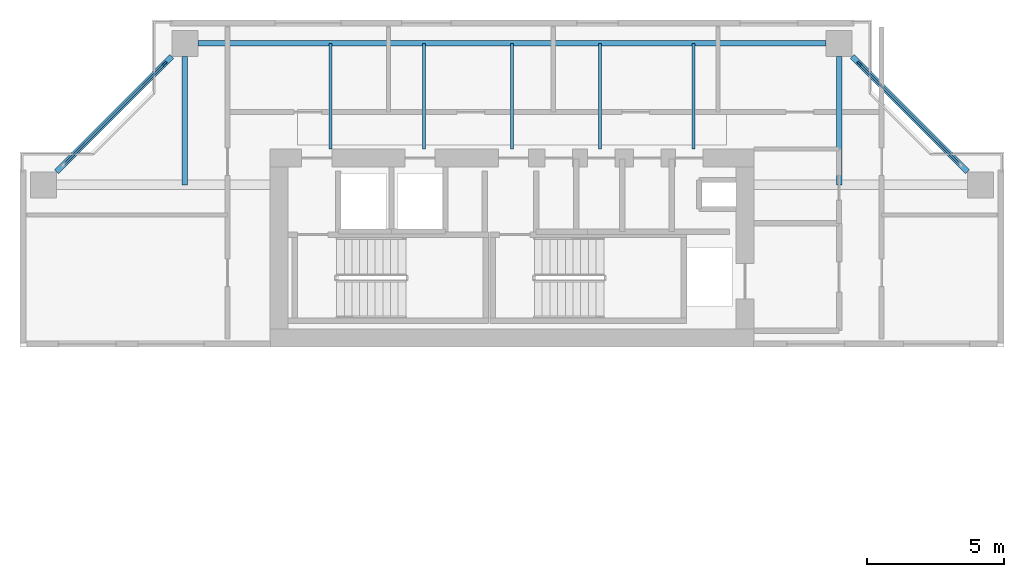
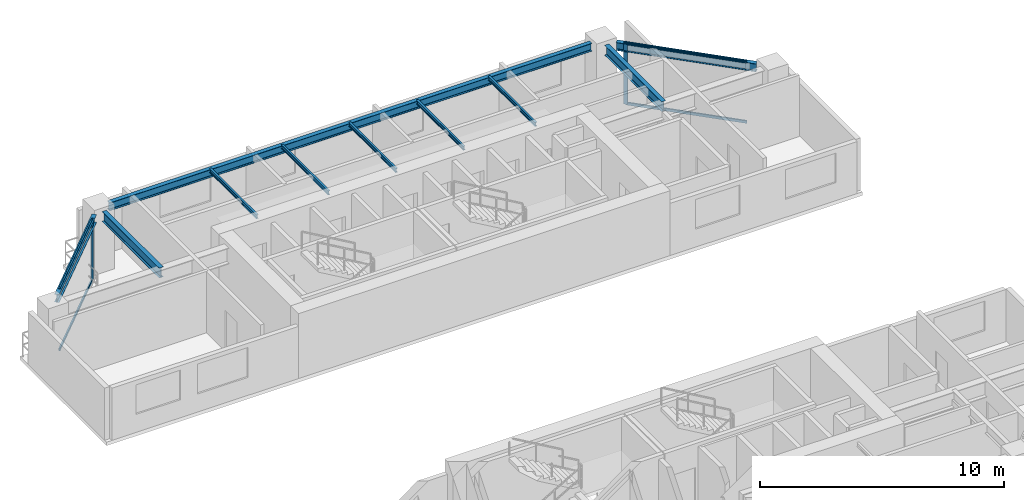
# One storey, part 5 of 12: 10 beams, 6 members, 2 elements without a shape of their own.
"""IFC4 building model written with IfcOpenShell, lengths in metres."""

from ifc_helpers import new_model, si_unit, direction, frame, origin, origin_2d, place, context, subcontext, project, spatial, rectangle, i_section, extrude, source, transform, mapped, material, layer, layer_set, material_profile, profile_set, type_object, element, aggregate, save


model = new_model("IFC4")

# Units and contexts
model_context = context("Model", 3, precision=1e-05, world=origin(), true_north=direction((0.0, 1.0)))
body_context = subcontext(model_context, "Body", "Model", "MODEL_VIEW")
ifc_project = project(units=[si_unit("LENGTHUNIT", "METRE"), si_unit("AREAUNIT", "SQUARE_METRE"), si_unit("VOLUMEUNIT", "CUBIC_METRE"), si_unit("PLANEANGLEUNIT", "RADIAN"), si_unit("MASSUNIT", "GRAM", prefix="KILO"), si_unit("THERMODYNAMICTEMPERATUREUNIT", "KELVIN"), si_unit("POWERUNIT", "WATT")], contexts=[model_context])

# Site, building, storey
site_placement = place(None, origin())
site = spatial("IfcSite", under=ifc_project, at=site_placement, CompositionType="ELEMENT")
building_placement = place(site_placement, origin())
building = spatial("IfcBuilding", under=site, at=building_placement, Name="Qiaomeng Ring Towers", CompositionType="ELEMENT")
storey_placement = place(building_placement, frame((0.0, 0.0, 163.25)))
storey = spatial("IfcBuildingStorey", under=building, at=storey_placement, Name="L47", CompositionType="ELEMENT", Elevation=163.25)

# Beams
ifc_material_1 = material(Name="Steel Q355B", Category="steel")
ifc_material_profile_1 = material_profile(ifc_material_1, i_section(OverallWidth=0.10009765625, OverallDepth=0.199951171875, WebThickness=0.005615234375, FlangeThickness=0.008056640625, FilletRadius=0.010986328125, at=origin_2d()), Name="HN 200x100x5.5x8")
ifc_profile_set_1 = profile_set([ifc_material_profile_1], Name="Steel Q355B")
beam_type_1 = type_object("IfcBeamType", Name="STR-BM-HN200", PredefinedType="JOIST", material=ifc_profile_set_1)
shared_shape_1 = source(origin(), body_context, "Body", "SweptSolid", [
    extrude(i_section(OverallWidth=0.10009765625, OverallDepth=0.199951171875, WebThickness=0.005615234375, FlangeThickness=0.008056640625, FilletRadius=0.010986328125, at=origin_2d()), origin(), (0.0, 0.0, 1.0), 3.85009765625),
])
for number, where, z_axis, x_axis, name in (
    (1, (12.39990234375, 36.199951171875, 2.969970703125), (0.0, 1.0, 0.0), (-1.0, 0.0, 0.0), "L47 beam STR-JST-L47-T1N-1"),
    (2, (15.800048828125, 36.199951171875, 2.969970703125), (0.0, 1.0, 0.0), (-1.0, 0.0, 0.0), "L47 beam STR-JST-L47-T1N-2"),
    (3, (19.0, 36.199951171875, 2.969970703125), (0.0, 1.0, 0.0), (-1.0, 0.0, 0.0), "L47 beam STR-JST-L47-T1N-3"),
    (4, (22.199951171875, 36.199951171875, 2.969970703125), (0.0, 1.0, 0.0), (-1.0, 0.0, 0.0), "L47 beam STR-JST-L47-T1N-4"),
    (5, (25.60009765625, 36.199951171875, 2.969970703125), (0.0, 1.0, 0.0), (-1.0, 0.0, 0.0), "L47 beam STR-JST-L47-T1N-5"),
):
    element("IfcBeam", number, at=place(storey_placement, frame(where, z_axis=z_axis, x_axis=x_axis)), inside=storey, type_object=beam_type_1, Name=name, PredefinedType="JOIST", context=body_context, shape_type="MappedRepresentation", body=[
        mapped(shared_shape_1, transform((0.0, 0.0, 0.0), x_axis=(1.0, 0.0, 0.0), y_axis=(0.0, 1.0, 0.0), z_axis=(0.0, 0.0, 1.0), scale=1.0)),
    ])
ifc_material_profile_2 = material_profile(ifc_material_1, i_section(OverallWidth=0.199951171875, OverallDepth=0.39990234375, WebThickness=0.008056640625, FlangeThickness=0.012939453125, FilletRadius=0.01611328125, at=origin_2d()), Name="HN 400x200x8x13")
ifc_profile_set_2 = profile_set([ifc_material_profile_2], Name="Steel Q355B")
beam_type_2 = type_object("IfcBeamType", Name="STR-BM-HN400", PredefinedType="SPANDREL", material=ifc_profile_set_2)
shared_shape_2 = source(origin(), body_context, "Body", "SweptSolid", [
    extrude(i_section(OverallWidth=0.199951171875, OverallDepth=0.39990234375, WebThickness=0.008056640625, FlangeThickness=0.012939453125, FilletRadius=0.01611328125, at=origin_2d()), origin(), (0.0, 0.0, 1.0), 22.85205078125),
])
beam_placement = place(storey_placement, frame((30.426025390625, 40.050048828125, 2.8701171875), z_axis=(-1.0, 0.0, 0.0), x_axis=(0.0, -1.0, 0.0)))
element("IfcBeam", 6, at=beam_placement, inside=storey, type_object=beam_type_2, Name="L47 beam STR-SP-L47-T1-N2-N1", PredefinedType="SPANDREL", context=body_context, shape_type="MappedRepresentation", body=[
    mapped(shared_shape_2, transform((0.0, 0.0, 0.0), x_axis=(1.0, 0.0, 0.0), y_axis=(0.0, 1.0, 0.0), z_axis=(0.0, 0.0, 1.0), scale=1.0)),
])
shared_shape_3 = source(origin(), body_context, "Body", "SweptSolid", [
    extrude(i_section(OverallWidth=0.199951171875, OverallDepth=0.39990234375, WebThickness=0.008056640625, FlangeThickness=0.012939453125, FilletRadius=0.01611328125, at=origin_2d()), origin(), (0.0, 0.0, 1.0), 5.941650390625),
])
for number, where, z_axis, x_axis, name in (
    (7, (35.57568359375, 35.374267578125, 2.8701171875), (-0.707106781187, 0.707106781187, 0.0), (-0.707106781187, -0.707106781187, 0.0), "L47 beam STR-SP-L47-T1-E4-N2"),
    (8, (6.625732421875, 39.57568359375, 2.8701171875), (-0.707106781187, -0.707106781187, 0.0), (0.707106781187, -0.707106781187, 0.0), "L47 beam STR-SP-L47-T1-N1-W4"),
):
    element("IfcBeam", number, at=place(storey_placement, frame(where, z_axis=z_axis, x_axis=x_axis)), inside=storey, type_object=beam_type_2, Name=name, PredefinedType="SPANDREL", context=body_context, shape_type="MappedRepresentation", body=[
        mapped(shared_shape_3, transform((0.0, 0.0, 0.0), x_axis=(1.0, 0.0, 0.0), y_axis=(0.0, 1.0, 0.0), z_axis=(0.0, 0.0, 1.0), scale=1.0)),
    ])
ifc_material_profile_3 = material_profile(ifc_material_1, i_section(OverallWidth=0.199951171875, OverallDepth=0.5, WebThickness=0.010009765625, FlangeThickness=0.01611328125, FilletRadius=0.02001953125, at=origin_2d()), Name="HN 500x200x10x16")
ifc_profile_set_3 = profile_set([ifc_material_profile_3], Name="Steel Q355B")
beam_type_3 = type_object("IfcBeamType", Name="STR-BM-HN500", PredefinedType="BEAM", material=ifc_profile_set_3)
shared_shape_4 = source(origin(), body_context, "Body", "SweptSolid", [
    extrude(i_section(OverallWidth=0.199951171875, OverallDepth=0.5, WebThickness=0.010009765625, FlangeThickness=0.01611328125, FilletRadius=0.02001953125, at=origin_2d()), origin(), (0.0, 0.0, 1.0), 4.676025390625),
])
for number, where, z_axis, x_axis, name in (
    (9, (7.10009765625, 39.575927734375, 2.820068359375), (0.0, -1.0, 0.0), (1.0, 0.0, 0.0), "L47 beam STR-BM-L47-T1-RAD-N1"),
    (10, (30.89990234375, 39.575927734375, 2.820068359375), (0.0, -1.0, 0.0), (1.0, 0.0, 0.0), "L47 beam STR-BM-L47-T1-RAD-N2"),
):
    element("IfcBeam", number, at=place(storey_placement, frame(where, z_axis=z_axis, x_axis=x_axis)), inside=storey, type_object=beam_type_3, Name=name, PredefinedType="BEAM", context=body_context, shape_type="MappedRepresentation", body=[
        mapped(shared_shape_4, transform((0.0, 0.0, 0.0), x_axis=(1.0, 0.0, 0.0), y_axis=(0.0, 1.0, 0.0), z_axis=(0.0, 0.0, 1.0), scale=1.0)),
    ])

# Curtain wall, member
ifc_material_2 = material(Name="Fluorocarbon dark-grey aluminium", Category="aluminium")
ifc_layer = layer(ifc_material_2, 0.14990234375, Name="Fluorocarbon dark-grey aluminium")
ifc_layer_set = layer_set([ifc_layer], Name="Fluorocarbon dark-grey aluminium")
curtain_wall_type = type_object("IfcCurtainWallType", Name="ARC-CW-3", PredefinedType="NOTDEFINED", material=ifc_layer_set)
curtain_wall_1_placement = place(storey_placement, origin())
curtain_wall_1 = element("IfcCurtainWall", 11, at=curtain_wall_1_placement, inside=storey, type_object=curtain_wall_type, Name="L47 Curtain Wall CW3", PredefinedType="NOTDEFINED")
ifc_material_profile_4 = material_profile(ifc_material_2, rectangle(XDim=0.070068359375, YDim=0.179931640625, at=origin_2d()), Name="ALU MULL 70x180")
ifc_profile_set_4 = profile_set([ifc_material_profile_4], Name="Fluorocarbon dark-grey aluminium")
member_type_1 = type_object("IfcMemberType", Name="ARC-CWM-160", PredefinedType="MULLION", material=ifc_profile_set_4)
shared_shape_5 = source(origin(), body_context, "Body", "SweptSolid", [
    extrude(rectangle(XDim=0.070068359375, YDim=0.179931640625, at=origin_2d()), origin(), (0.0, 0.0, 1.0), 3.070068359375),
])
member_1_placement = place(storey_placement, frame((31.6396484375, 39.310302734375, 0.0), z_axis=(0.0, 0.0, 1.0), x_axis=(-0.707106781187, -0.707106781187, 0.0)))
member_1 = element("IfcMember", 12, at=member_1_placement, type_object=member_type_1, Name="CW3 mullion 2", PredefinedType="MULLION", context=body_context, shape_type="MappedRepresentation", body=[
    mapped(shared_shape_5, transform((0.0, 0.0, 0.0), x_axis=(1.0, 0.0, 0.0), y_axis=(0.0, 1.0, 0.0), z_axis=(0.0, 0.0, 1.0), scale=1.0)),
])

curtain_wall_2_placement = place(storey_placement, origin())
curtain_wall_2 = element("IfcCurtainWall", 13, at=curtain_wall_2_placement, inside=storey, type_object=curtain_wall_type, Name="L47 Curtain Wall CW3", PredefinedType="NOTDEFINED")
member_2_placement = place(storey_placement, frame((6.3603515625, 39.310302734375, 0.0), z_axis=(0.0, 0.0, 1.0), x_axis=(0.707106781187, -0.707106781187, 0.0)))
member_2 = element("IfcMember", 14, at=member_2_placement, type_object=member_type_1, Name="CW3 mullion 1", PredefinedType="MULLION", context=body_context, shape_type="MappedRepresentation", body=[
    mapped(shared_shape_5, transform((0.0, 0.0, 0.0), x_axis=(1.0, 0.0, 0.0), y_axis=(0.0, 1.0, 0.0), z_axis=(0.0, 0.0, 1.0), scale=1.0)),
])

# Member
ifc_material_profile_5 = material_profile(ifc_material_2, rectangle(XDim=0.06494140625, YDim=0.1298828125, at=origin_2d()), Name="ALU TRAN 65x130")
ifc_profile_set_5 = profile_set([ifc_material_profile_5], Name="Fluorocarbon dark-grey aluminium")
member_type_2 = type_object("IfcMemberType", Name="ARC-CWT-120", PredefinedType="USERDEFINED", material=ifc_profile_set_5)
shared_shape_6 = source(origin(), body_context, "Body", "SweptSolid", [
    extrude(rectangle(XDim=0.06494140625, YDim=0.1298828125, at=origin_2d()), origin(), (0.0, 0.0, 1.0), 5.12060546875),
])
member_3_placement = place(storey_placement, frame((35.285400390625, 35.66455078125, 0.032470703125), z_axis=(-0.707106781187, 0.707106781187, 0.0), x_axis=(-0.707106781187, -0.707106781187, 0.0)))
member_3 = element("IfcMember", 15, at=member_3_placement, type_object=member_type_2, Name="CW3 transom 1.1", ObjectType="TRANSOM", PredefinedType="USERDEFINED", context=body_context, shape_type="MappedRepresentation", body=[
    mapped(shared_shape_6, transform((0.0, 0.0, 0.0), x_axis=(1.0, 0.0, 0.0), y_axis=(0.0, 1.0, 0.0), z_axis=(0.0, 0.0, 1.0), scale=1.0)),
])

member_4_placement = place(storey_placement, frame((35.285400390625, 35.66455078125, 3.03759765625), z_axis=(-0.707106781187, 0.707106781187, 0.0), x_axis=(-0.707106781187, -0.707106781187, 0.0)))
member_4 = element("IfcMember", 16, at=member_4_placement, type_object=member_type_2, Name="CW3 transom 1.2", ObjectType="TRANSOM", PredefinedType="USERDEFINED", context=body_context, shape_type="MappedRepresentation", body=[
    mapped(shared_shape_6, transform((0.0, 0.0, 0.0), x_axis=(1.0, 0.0, 0.0), y_axis=(0.0, 1.0, 0.0), z_axis=(0.0, 0.0, 1.0), scale=1.0)),
])

aggregate(curtain_wall_1, [member_1, member_3, member_4])

member_5_placement = place(storey_placement, frame((6.33544921875, 39.285400390625, 0.032470703125), z_axis=(-0.707106781187, -0.707106781187, 0.0), x_axis=(0.707106781187, -0.707106781187, 0.0)))
member_5 = element("IfcMember", 17, at=member_5_placement, type_object=member_type_2, Name="CW3 transom 1.1", ObjectType="TRANSOM", PredefinedType="USERDEFINED", context=body_context, shape_type="MappedRepresentation", body=[
    mapped(shared_shape_6, transform((0.0, 0.0, 0.0), x_axis=(1.0, 0.0, 0.0), y_axis=(0.0, 1.0, 0.0), z_axis=(0.0, 0.0, 1.0), scale=1.0)),
])

member_6_placement = place(storey_placement, frame((6.33544921875, 39.285400390625, 3.03759765625), z_axis=(-0.707106781187, -0.707106781187, 0.0), x_axis=(0.707106781187, -0.707106781187, 0.0)))
member_6 = element("IfcMember", 18, at=member_6_placement, type_object=member_type_2, Name="CW3 transom 1.2", ObjectType="TRANSOM", PredefinedType="USERDEFINED", context=body_context, shape_type="MappedRepresentation", body=[
    mapped(shared_shape_6, transform((0.0, 0.0, 0.0), x_axis=(1.0, 0.0, 0.0), y_axis=(0.0, 1.0, 0.0), z_axis=(0.0, 0.0, 1.0), scale=1.0)),
])

aggregate(curtain_wall_2, [member_2, member_5, member_6])

save(model, "model.ifc")
